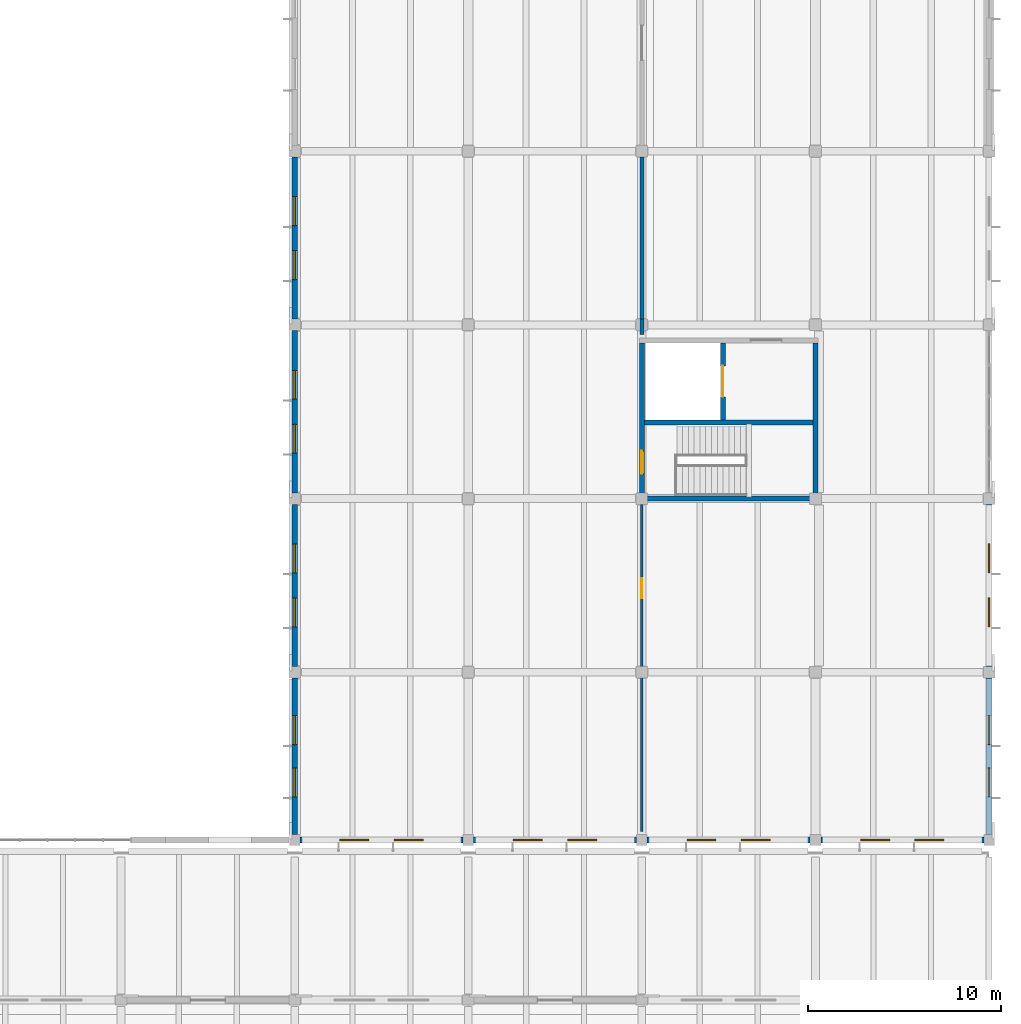
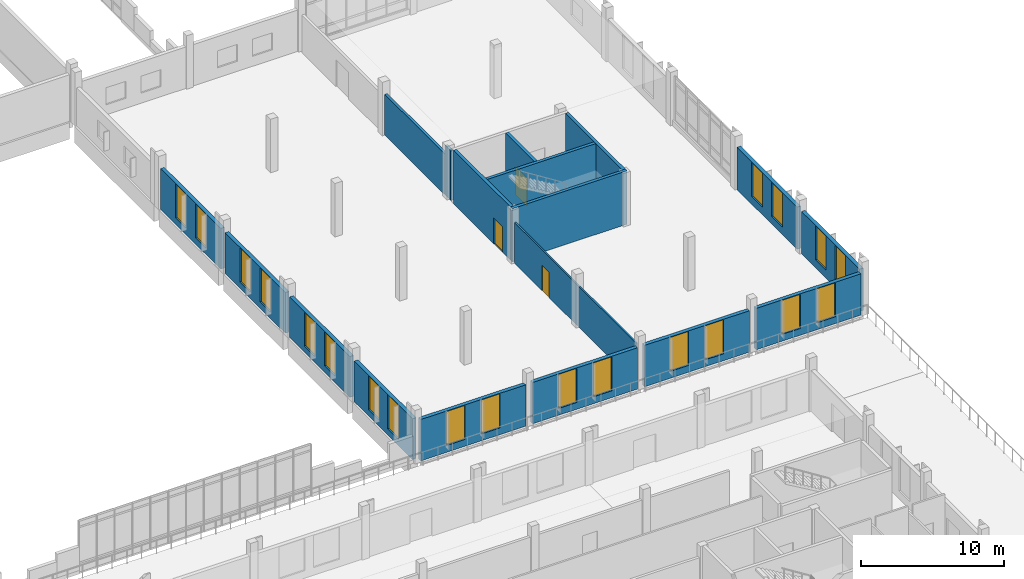
# One storey, part 43 of 63: 20 windows, 18 walls, 3 doors, 23 openings.
"""IFC4 building model written with IfcOpenShell, lengths in metres."""

from ifc_helpers import new_model, si_unit, direction, frame, frame_2d, origin, place, context, subcontext, project, spatial, rectangle, extrude, material, layer, layer_set, type_object, element, fill, save


model = new_model("IFC4")

# Units and contexts
model_context = context("Model", 3, precision=1e-05, world=origin(), true_north=direction((0.0, 1.0)))
body_context = subcontext(model_context, "Body", "Model", "MODEL_VIEW")
ifc_project = project(units=[si_unit("LENGTHUNIT", "METRE"), si_unit("AREAUNIT", "SQUARE_METRE"), si_unit("VOLUMEUNIT", "CUBIC_METRE"), si_unit("PLANEANGLEUNIT", "RADIAN"), si_unit("MASSUNIT", "GRAM", prefix="KILO")], contexts=[model_context])

# Site, building, storey
site_placement = place(None, origin())
site = spatial("IfcSite", under=ifc_project, at=site_placement, CompositionType="ELEMENT")
building_placement = place(site_placement, origin())
building = spatial("IfcBuilding", under=site, at=building_placement, Name="Zacnel Wholesale Market", CompositionType="ELEMENT")
storey_placement = place(building_placement, frame((0.0, 0.0, 11.199951171875)))
storey = spatial("IfcBuildingStorey", under=building, at=storey_placement, Name="L03", CompositionType="ELEMENT", Elevation=11.199951171875)

# Walls
ifc_material_1 = material(Name="PIR insulated cold-store panel")
ifc_layer_1 = layer(ifc_material_1, 0.2099609375)
ifc_layer_set_1 = layer_set([ifc_layer_1], Name="PIR insulated cold-store panel")
wall_type_1 = type_object("IfcWallType", Name="WL-COLD-INT210", PredefinedType="STANDARD", material=ifc_layer_set_1)
wall_1_placement = place(storey_placement, frame((198.0, 74.5, 0.0), z_axis=(0.0, 0.0, 1.0), x_axis=(0.0, 1.0, 0.0)))
element("IfcWall", 1, at=wall_1_placement, inside=storey, type_object=wall_type_1, Name="Interior partition L03-0167", PredefinedType="STANDARD", context=body_context, shape_type="SweptSolid", body=[
    extrude(rectangle(XDim=0.800048828125, YDim=0.2099609375, at=frame_2d((0.39990234375, 0.0))), origin(), (0.0, 0.0, 1.0), 4.22998046875),
])
wall_2_placement = place(storey_placement, frame((198.0, 75.300048828125, 0.0), z_axis=(0.0, 0.0, 1.0), x_axis=(0.0, 1.0, 0.0)))
element("IfcWall", 2, at=wall_2_placement, inside=storey, type_object=wall_type_1, Name="Interior partition L03-0167 part 2", PredefinedType="STANDARD", context=body_context, shape_type="SweptSolid", body=[
    extrude(rectangle(XDim=8.39990234375, YDim=0.2099609375, at=frame_2d((4.199951171875, 0.0))), origin(), (0.0, 0.0, 1.0), 3.469970703125),
])
ifc_material_2 = material(Name="Concrete C40/50", Category="concrete")
ifc_layer_2 = layer(ifc_material_2, 0.25)
ifc_layer_set_2 = layer_set([ifc_layer_2], Name="Concrete C40/50")
wall_type_2 = type_object("IfcWallType", Name="WL-CORE-SW250", PredefinedType="SOLIDWALL", material=ifc_layer_set_2)
wall_3_placement = place(storey_placement, frame((197.875, 66.0, 0.0), z_axis=(0.0, 0.0, 1.0), x_axis=(1.0, 0.0, 0.0)))
element("IfcWall", 3, at=wall_3_placement, inside=storey, type_object=wall_type_2, Name="Core C7 south shear wall L03", PredefinedType="SOLIDWALL", context=body_context, shape_type="SweptSolid", body=[
    extrude(rectangle(XDim=9.25, YDim=0.25, at=frame_2d((4.625, 0.0))), origin(), (0.0, 0.0, 1.0), 4.550048828125),
])

# Wall, opening, door
wall_4_placement = place(storey_placement, frame((198.0, 66.125, 0.0), z_axis=(0.0, 0.0, 1.0), x_axis=(0.0, 1.0, 0.0)))
wall_4 = element("IfcWall", 4, at=wall_4_placement, inside=storey, type_object=wall_type_2, Name="Core C7 west shear wall L03", PredefinedType="SOLIDWALL", context=body_context, shape_type="SweptSolid", body=[
    extrude(rectangle(XDim=7.949951171875, YDim=0.25, at=frame_2d((3.97509765625, 0.0))), origin(), (0.0, 0.0, 1.0), 4.550048828125),
])
opening_1_placement = place(wall_4_placement, frame((1.14990234375, 0.0, 0.0)))
opening_1 = element("IfcOpeningElement", 5, at=opening_1_placement, cuts=wall_4, Name="Opening FD-01", PredefinedType="OPENING", context=body_context, shape_type="SweptSolid", body=[
    extrude(rectangle(XDim=1.199951171875, YDim=2.199951171875, at=frame_2d((0.60009765625, 1.10009765625))), frame((0.0, 0.135009765625, 0.0), z_axis=(0.0, -1.0, 0.0), x_axis=(1.0, 0.0, 0.0)), (0.0, 0.0, 1.0), 0.27001953125),
])
ifc_material_3 = material(Name="Galvanized steel", Category="steel")
door_type_1 = type_object("IfcDoorType", Name="DR-FIRE-STAIR-1200", OperationType="NOTDEFINED", PredefinedType="DOOR", material=ifc_material_3)
door_1_placement = place(opening_1_placement, origin())
door_1 = element("IfcDoor", 6, at=door_1_placement, inside=storey, type_object=door_type_1, Name="Protected stair fire door C7 L03", OperationType="SINGLE_SWING_LEFT", OverallHeight=2.199951171875, OverallWidth=1.199951171875, PredefinedType="DOOR", context=body_context, shape_type="SweptSolid", body=[
    extrude(rectangle(XDim=1.199951171875, YDim=2.199951171875, at=frame_2d((0.60009765625, 1.10009765625))), frame((0.0, 0.02490234375, 0.0), z_axis=(0.0, -1.0, 0.0), x_axis=(1.0, 0.0, 0.0)), (0.0, 0.0, 1.0), 0.050048828125),
])
fill(opening_1, door_1)

# Walls
wall_5_placement = place(storey_placement, frame((207.0, 66.125, 0.0), z_axis=(0.0, 0.0, 1.0), x_axis=(0.0, 1.0, 0.0)))
element("IfcWall", 7, at=wall_5_placement, inside=storey, type_object=wall_type_2, Name="Core C7 east shear wall L03", PredefinedType="SOLIDWALL", context=body_context, shape_type="SweptSolid", body=[
    extrude(rectangle(XDim=7.949951171875, YDim=0.25, at=frame_2d((3.97509765625, 0.0))), origin(), (0.0, 0.0, 1.0), 4.550048828125),
])
wall_6_placement = place(storey_placement, frame((198.125, 69.949951171875, 0.0), z_axis=(0.0, 0.0, 1.0), x_axis=(1.0, 0.0, 0.0)))
element("IfcWall", 8, at=wall_6_placement, inside=storey, type_object=wall_type_2, Name="Core C7 stair-shaft shear wall L03", PredefinedType="SOLIDWALL", context=body_context, shape_type="SweptSolid", body=[
    extrude(rectangle(XDim=8.75, YDim=0.25, at=frame_2d((4.375, 0.0))), origin(), (0.0, 0.0, 1.0), 4.550048828125),
])

# Wall, opening, door
wall_7_placement = place(storey_placement, frame((202.199951171875, 70.074951171875, 0.0), z_axis=(0.0, 0.0, 1.0), x_axis=(0.0, 1.0, 0.0)))
wall_7 = element("IfcWall", 9, at=wall_7_placement, inside=storey, type_object=wall_type_2, Name="Core C7 lift shaft front wall L03", PredefinedType="SOLIDWALL", context=body_context, shape_type="SweptSolid", body=[
    extrude(rectangle(XDim=4.0, YDim=0.25, at=frame_2d((2.0, 0.0))), origin(), (0.0, 0.0, 1.0), 4.550048828125),
])
opening_2_placement = place(wall_7_placement, frame((1.199951171875, 0.0, 0.0)))
opening_2 = element("IfcOpeningElement", 10, at=opening_2_placement, cuts=wall_7, Name="Opening LD-02", PredefinedType="OPENING", context=body_context, shape_type="SweptSolid", body=[
    extrude(rectangle(XDim=1.60009765625, YDim=2.39990234375, at=frame_2d((0.800048828125, 1.199951171875))), frame((0.0, 0.135009765625, 0.0), z_axis=(0.0, -1.0, 0.0), x_axis=(1.0, 0.0, 0.0)), (0.0, 0.0, 1.0), 0.27001953125),
])
ifc_material_4 = material(Name="Galvanized steel", Category="steel")
door_type_2 = type_object("IfcDoorType", Name="DR-LIFT-GOODS-1600", OperationType="NOTDEFINED", PredefinedType="DOOR", material=ifc_material_4)
door_2_placement = place(opening_2_placement, origin())
door_2 = element("IfcDoor", 11, at=door_2_placement, inside=storey, type_object=door_type_2, Name="Lift landing door LG-04 L03", OperationType="SLIDING_TO_LEFT", OverallHeight=2.39990234375, OverallWidth=1.60009765625, PredefinedType="DOOR", context=body_context, shape_type="SweptSolid", body=[
    extrude(rectangle(XDim=1.60009765625, YDim=2.39990234375, at=frame_2d((0.800048828125, 1.199951171875))), frame((0.0, 0.02490234375, 0.0), z_axis=(0.0, -1.0, 0.0), x_axis=(1.0, 0.0, 0.0)), (0.0, 0.0, 1.0), 0.050048828125),
])
fill(opening_2, door_2)

# Wall, openings, windows
ifc_material_5 = material(Name="Precast concrete C40/50 (Cancun limestone aggregate)", Category="masonry")
ifc_layer_3 = layer(ifc_material_5, 0.300048828125)
ifc_layer_set_3 = layer_set([ifc_layer_3], Name="Precast concrete C40/50 (Cancun limestone aggregate)")
wall_type_3 = type_object("IfcWallType", Name="WL-EXT-LIME-300", PredefinedType="SOLIDWALL", material=ifc_layer_set_3)
wall_8_placement = place(storey_placement, frame((180.27490234375, 48.300048828125, 0.0), z_axis=(0.0, 0.0, 1.0), x_axis=(1.0, 0.0, 0.0)))
wall_8 = element("IfcWall", 12, at=wall_8_placement, inside=storey, type_object=wall_type_3, Name="Exterior wall L03-0417", PredefinedType="SOLIDWALL", context=body_context, shape_type="SweptSolid", body=[
    extrude(rectangle(XDim=8.4501953125, YDim=0.300048828125, at=frame_2d((4.22509765625, 0.0))), origin(), (0.0, 0.0, 1.0), 3.52001953125),
])
opening_3_placement = place(wall_8_placement, frame((2.06689453125, 0.0, 0.580078125)))
opening_3 = element("IfcOpeningElement", 13, at=opening_3_placement, cuts=wall_8, Name="Opening W-04", PredefinedType="OPENING", context=body_context, shape_type="SweptSolid", body=[
    extrude(rectangle(XDim=1.5, YDim=2.89990234375, at=frame_2d((0.75, 1.449951171875))), frame((0.0, 0.159912109375, 0.0), z_axis=(0.0, -1.0, 0.0), x_axis=(1.0, 0.0, 0.0)), (0.0, 0.0, 1.0), 0.320068359375),
])
opening_4_placement = place(wall_8_placement, frame((4.883056640625, 0.0, 0.580078125)))
opening_4 = element("IfcOpeningElement", 14, at=opening_4_placement, cuts=wall_8, Name="Opening W-04", PredefinedType="OPENING", context=body_context, shape_type="SweptSolid", body=[
    extrude(rectangle(XDim=1.5, YDim=2.89990234375, at=frame_2d((0.75, 1.449951171875))), frame((0.0, 0.159912109375, 0.0), z_axis=(0.0, -1.0, 0.0), x_axis=(1.0, 0.0, 0.0)), (0.0, 0.0, 1.0), 0.320068359375),
])
ifc_material_6 = material(Name="Laminated hurricane-impact low-E insulated glass", Category="glass")
window_type = type_object("IfcWindowType", Name="WIN-DEC-1500X2900", PartitioningType="DOUBLE_PANEL_VERTICAL", PredefinedType="WINDOW", material=ifc_material_6)
window_1_placement = place(opening_3_placement, origin())
window_1 = element("IfcWindow", 15, at=window_1_placement, inside=storey, type_object=window_type, Name="Window L03-0453", OverallHeight=2.89990234375, OverallWidth=1.5, PartitioningType="DOUBLE_PANEL_VERTICAL", PredefinedType="WINDOW", context=body_context, shape_type="SweptSolid", body=[
    extrude(rectangle(XDim=1.5, YDim=2.89990234375, at=frame_2d((0.75, 1.449951171875))), frame((0.0, 0.030029296875, 0.0), z_axis=(0.0, -1.0, 0.0), x_axis=(1.0, 0.0, 0.0)), (0.0, 0.0, 1.0), 0.06005859375),
])
fill(opening_3, window_1)
window_2_placement = place(opening_4_placement, origin())
window_2 = element("IfcWindow", 16, at=window_2_placement, inside=storey, type_object=window_type, Name="Window L03-0454", OverallHeight=2.89990234375, OverallWidth=1.5, PartitioningType="DOUBLE_PANEL_VERTICAL", PredefinedType="WINDOW", context=body_context, shape_type="SweptSolid", body=[
    extrude(rectangle(XDim=1.5, YDim=2.89990234375, at=frame_2d((0.75, 1.449951171875))), frame((0.0, 0.030029296875, 0.0), z_axis=(0.0, -1.0, 0.0), x_axis=(1.0, 0.0, 0.0)), (0.0, 0.0, 1.0), 0.06005859375),
])
fill(opening_4, window_2)

wall_9_placement = place(storey_placement, frame((189.27490234375, 48.300048828125, 0.0), z_axis=(0.0, 0.0, 1.0), x_axis=(1.0, 0.0, 0.0)))
wall_9 = element("IfcWall", 17, at=wall_9_placement, inside=storey, type_object=wall_type_3, Name="Exterior wall L03-0418", PredefinedType="SOLIDWALL", context=body_context, shape_type="SweptSolid", body=[
    extrude(rectangle(XDim=8.4501953125, YDim=0.300048828125, at=frame_2d((4.22509765625, 0.0))), origin(), (0.0, 0.0, 1.0), 3.52001953125),
])
opening_5_placement = place(wall_9_placement, frame((2.06689453125, 0.0, 0.580078125)))
opening_5 = element("IfcOpeningElement", 18, at=opening_5_placement, cuts=wall_9, Name="Opening W-04", PredefinedType="OPENING", context=body_context, shape_type="SweptSolid", body=[
    extrude(rectangle(XDim=1.5, YDim=2.89990234375, at=frame_2d((0.75, 1.449951171875))), frame((0.0, 0.159912109375, 0.0), z_axis=(0.0, -1.0, 0.0), x_axis=(1.0, 0.0, 0.0)), (0.0, 0.0, 1.0), 0.320068359375),
])
opening_6_placement = place(wall_9_placement, frame((4.883056640625, 0.0, 0.580078125)))
opening_6 = element("IfcOpeningElement", 19, at=opening_6_placement, cuts=wall_9, Name="Opening W-04", PredefinedType="OPENING", context=body_context, shape_type="SweptSolid", body=[
    extrude(rectangle(XDim=1.5, YDim=2.89990234375, at=frame_2d((0.75, 1.449951171875))), frame((0.0, 0.159912109375, 0.0), z_axis=(0.0, -1.0, 0.0), x_axis=(1.0, 0.0, 0.0)), (0.0, 0.0, 1.0), 0.320068359375),
])
window_3_placement = place(opening_5_placement, origin())
window_3 = element("IfcWindow", 20, at=window_3_placement, inside=storey, type_object=window_type, Name="Window L03-0455", OverallHeight=2.89990234375, OverallWidth=1.5, PartitioningType="DOUBLE_PANEL_VERTICAL", PredefinedType="WINDOW", context=body_context, shape_type="SweptSolid", body=[
    extrude(rectangle(XDim=1.5, YDim=2.89990234375, at=frame_2d((0.75, 1.449951171875))), frame((0.0, 0.030029296875, 0.0), z_axis=(0.0, -1.0, 0.0), x_axis=(1.0, 0.0, 0.0)), (0.0, 0.0, 1.0), 0.06005859375),
])
fill(opening_5, window_3)
window_4_placement = place(opening_6_placement, origin())
window_4 = element("IfcWindow", 21, at=window_4_placement, inside=storey, type_object=window_type, Name="Window L03-0456", OverallHeight=2.89990234375, OverallWidth=1.5, PartitioningType="DOUBLE_PANEL_VERTICAL", PredefinedType="WINDOW", context=body_context, shape_type="SweptSolid", body=[
    extrude(rectangle(XDim=1.5, YDim=2.89990234375, at=frame_2d((0.75, 1.449951171875))), frame((0.0, 0.030029296875, 0.0), z_axis=(0.0, -1.0, 0.0), x_axis=(1.0, 0.0, 0.0)), (0.0, 0.0, 1.0), 0.06005859375),
])
fill(opening_6, window_4)

wall_10_placement = place(storey_placement, frame((198.27490234375, 48.300048828125, 0.0), z_axis=(0.0, 0.0, 1.0), x_axis=(1.0, 0.0, 0.0)))
wall_10 = element("IfcWall", 22, at=wall_10_placement, inside=storey, type_object=wall_type_3, Name="Exterior wall L03-0419", PredefinedType="SOLIDWALL", context=body_context, shape_type="SweptSolid", body=[
    extrude(rectangle(XDim=8.4501953125, YDim=0.300048828125, at=frame_2d((4.22509765625, 0.0))), origin(), (0.0, 0.0, 1.0), 3.52001953125),
])
opening_7_placement = place(wall_10_placement, frame((2.06689453125, 0.0, 0.580078125)))
opening_7 = element("IfcOpeningElement", 23, at=opening_7_placement, cuts=wall_10, Name="Opening W-04", PredefinedType="OPENING", context=body_context, shape_type="SweptSolid", body=[
    extrude(rectangle(XDim=1.5, YDim=2.89990234375, at=frame_2d((0.75, 1.449951171875))), frame((0.0, 0.159912109375, 0.0), z_axis=(0.0, -1.0, 0.0), x_axis=(1.0, 0.0, 0.0)), (0.0, 0.0, 1.0), 0.320068359375),
])
opening_8_placement = place(wall_10_placement, frame((4.883056640625, 0.0, 0.580078125)))
opening_8 = element("IfcOpeningElement", 24, at=opening_8_placement, cuts=wall_10, Name="Opening W-04", PredefinedType="OPENING", context=body_context, shape_type="SweptSolid", body=[
    extrude(rectangle(XDim=1.5, YDim=2.89990234375, at=frame_2d((0.75, 1.449951171875))), frame((0.0, 0.159912109375, 0.0), z_axis=(0.0, -1.0, 0.0), x_axis=(1.0, 0.0, 0.0)), (0.0, 0.0, 1.0), 0.320068359375),
])
window_5_placement = place(opening_7_placement, origin())
window_5 = element("IfcWindow", 25, at=window_5_placement, inside=storey, type_object=window_type, Name="Window L03-0457", OverallHeight=2.89990234375, OverallWidth=1.5, PartitioningType="DOUBLE_PANEL_VERTICAL", PredefinedType="WINDOW", context=body_context, shape_type="SweptSolid", body=[
    extrude(rectangle(XDim=1.5, YDim=2.89990234375, at=frame_2d((0.75, 1.449951171875))), frame((0.0, 0.030029296875, 0.0), z_axis=(0.0, -1.0, 0.0), x_axis=(1.0, 0.0, 0.0)), (0.0, 0.0, 1.0), 0.06005859375),
])
fill(opening_7, window_5)
window_6_placement = place(opening_8_placement, origin())
window_6 = element("IfcWindow", 26, at=window_6_placement, inside=storey, type_object=window_type, Name="Window L03-0458", OverallHeight=2.89990234375, OverallWidth=1.5, PartitioningType="DOUBLE_PANEL_VERTICAL", PredefinedType="WINDOW", context=body_context, shape_type="SweptSolid", body=[
    extrude(rectangle(XDim=1.5, YDim=2.89990234375, at=frame_2d((0.75, 1.449951171875))), frame((0.0, 0.030029296875, 0.0), z_axis=(0.0, -1.0, 0.0), x_axis=(1.0, 0.0, 0.0)), (0.0, 0.0, 1.0), 0.06005859375),
])
fill(opening_8, window_6)

wall_11_placement = place(storey_placement, frame((207.27490234375, 48.300048828125, 0.0), z_axis=(0.0, 0.0, 1.0), x_axis=(1.0, 0.0, 0.0)))
wall_11 = element("IfcWall", 27, at=wall_11_placement, inside=storey, type_object=wall_type_3, Name="Exterior wall L03-0420", PredefinedType="SOLIDWALL", context=body_context, shape_type="SweptSolid", body=[
    extrude(rectangle(XDim=8.4501953125, YDim=0.300048828125, at=frame_2d((4.22509765625, 0.0))), origin(), (0.0, 0.0, 1.0), 3.52001953125),
])
opening_9_placement = place(wall_11_placement, frame((2.06689453125, 0.0, 0.580078125)))
opening_9 = element("IfcOpeningElement", 28, at=opening_9_placement, cuts=wall_11, Name="Opening W-04", PredefinedType="OPENING", context=body_context, shape_type="SweptSolid", body=[
    extrude(rectangle(XDim=1.5, YDim=2.89990234375, at=frame_2d((0.75, 1.449951171875))), frame((0.0, 0.159912109375, 0.0), z_axis=(0.0, -1.0, 0.0), x_axis=(1.0, 0.0, 0.0)), (0.0, 0.0, 1.0), 0.320068359375),
])
opening_10_placement = place(wall_11_placement, frame((4.883056640625, 0.0, 0.580078125)))
opening_10 = element("IfcOpeningElement", 29, at=opening_10_placement, cuts=wall_11, Name="Opening W-04", PredefinedType="OPENING", context=body_context, shape_type="SweptSolid", body=[
    extrude(rectangle(XDim=1.5, YDim=2.89990234375, at=frame_2d((0.75, 1.449951171875))), frame((0.0, 0.159912109375, 0.0), z_axis=(0.0, -1.0, 0.0), x_axis=(1.0, 0.0, 0.0)), (0.0, 0.0, 1.0), 0.320068359375),
])
window_7_placement = place(opening_9_placement, origin())
window_7 = element("IfcWindow", 30, at=window_7_placement, inside=storey, type_object=window_type, Name="Window L03-0459", OverallHeight=2.89990234375, OverallWidth=1.5, PartitioningType="DOUBLE_PANEL_VERTICAL", PredefinedType="WINDOW", context=body_context, shape_type="SweptSolid", body=[
    extrude(rectangle(XDim=1.5, YDim=2.89990234375, at=frame_2d((0.75, 1.449951171875))), frame((0.0, 0.030029296875, 0.0), z_axis=(0.0, -1.0, 0.0), x_axis=(1.0, 0.0, 0.0)), (0.0, 0.0, 1.0), 0.06005859375),
])
fill(opening_9, window_7)
window_8_placement = place(opening_10_placement, origin())
window_8 = element("IfcWindow", 31, at=window_8_placement, inside=storey, type_object=window_type, Name="Window L03-0460", OverallHeight=2.89990234375, OverallWidth=1.5, PartitioningType="DOUBLE_PANEL_VERTICAL", PredefinedType="WINDOW", context=body_context, shape_type="SweptSolid", body=[
    extrude(rectangle(XDim=1.5, YDim=2.89990234375, at=frame_2d((0.75, 1.449951171875))), frame((0.0, 0.030029296875, 0.0), z_axis=(0.0, -1.0, 0.0), x_axis=(1.0, 0.0, 0.0)), (0.0, 0.0, 1.0), 0.06005859375),
])
fill(opening_10, window_8)

wall_12_placement = place(storey_placement, frame((180.0, 48.574951171875, 0.0), z_axis=(0.0, 0.0, 1.0), x_axis=(0.0, 1.0, 0.0)))
wall_12 = element("IfcWall", 32, at=wall_12_placement, inside=storey, type_object=wall_type_3, Name="Exterior wall L03-0424", PredefinedType="SOLIDWALL", context=body_context, shape_type="SweptSolid", body=[
    extrude(rectangle(XDim=8.125, YDim=0.300048828125, at=frame_2d((4.0625, 0.0))), origin(), (0.0, 0.0, 1.0), 3.469970703125),
])
opening_11_placement = place(wall_12_placement, frame((1.9580078125, 0.0, 0.530029296875)))
opening_11 = element("IfcOpeningElement", 33, at=opening_11_placement, cuts=wall_12, Name="Opening W-04", PredefinedType="OPENING", context=body_context, shape_type="SweptSolid", body=[
    extrude(rectangle(XDim=1.5, YDim=2.89990234375, at=frame_2d((0.75, 1.449951171875))), frame((0.0, 0.159912109375, 0.0), z_axis=(0.0, -1.0, 0.0), x_axis=(1.0, 0.0, 0.0)), (0.0, 0.0, 1.0), 0.320068359375),
])
opening_12_placement = place(wall_12_placement, frame((4.6669921875, 0.0, 0.530029296875)))
opening_12 = element("IfcOpeningElement", 34, at=opening_12_placement, cuts=wall_12, Name="Opening W-04", PredefinedType="OPENING", context=body_context, shape_type="SweptSolid", body=[
    extrude(rectangle(XDim=1.5, YDim=2.89990234375, at=frame_2d((0.75, 1.449951171875))), frame((0.0, 0.159912109375, 0.0), z_axis=(0.0, -1.0, 0.0), x_axis=(1.0, 0.0, 0.0)), (0.0, 0.0, 1.0), 0.320068359375),
])
window_9_placement = place(opening_11_placement, origin())
window_9 = element("IfcWindow", 35, at=window_9_placement, inside=storey, type_object=window_type, Name="Window L03-0467", OverallHeight=2.89990234375, OverallWidth=1.5, PartitioningType="DOUBLE_PANEL_VERTICAL", PredefinedType="WINDOW", context=body_context, shape_type="SweptSolid", body=[
    extrude(rectangle(XDim=1.5, YDim=2.89990234375, at=frame_2d((0.75, 1.449951171875))), frame((0.0, 0.030029296875, 0.0), z_axis=(0.0, -1.0, 0.0), x_axis=(1.0, 0.0, 0.0)), (0.0, 0.0, 1.0), 0.06005859375),
])
fill(opening_11, window_9)
window_10_placement = place(opening_12_placement, origin())
window_10 = element("IfcWindow", 36, at=window_10_placement, inside=storey, type_object=window_type, Name="Window L03-0468", OverallHeight=2.89990234375, OverallWidth=1.5, PartitioningType="DOUBLE_PANEL_VERTICAL", PredefinedType="WINDOW", context=body_context, shape_type="SweptSolid", body=[
    extrude(rectangle(XDim=1.5, YDim=2.89990234375, at=frame_2d((0.75, 1.449951171875))), frame((0.0, 0.030029296875, 0.0), z_axis=(0.0, -1.0, 0.0), x_axis=(1.0, 0.0, 0.0)), (0.0, 0.0, 1.0), 0.06005859375),
])
fill(opening_12, window_10)

wall_13_placement = place(storey_placement, frame((180.0, 57.300048828125, 0.0), z_axis=(0.0, 0.0, 1.0), x_axis=(0.0, 1.0, 0.0)))
wall_13 = element("IfcWall", 37, at=wall_13_placement, inside=storey, type_object=wall_type_3, Name="Exterior wall L03-0425", PredefinedType="SOLIDWALL", context=body_context, shape_type="SweptSolid", body=[
    extrude(rectangle(XDim=8.39990234375, YDim=0.300048828125, at=frame_2d((4.199951171875, 0.0))), origin(), (0.0, 0.0, 1.0), 3.469970703125),
])
opening_13_placement = place(wall_13_placement, frame((2.050048828125, 0.0, 0.530029296875)))
opening_13 = element("IfcOpeningElement", 38, at=opening_13_placement, cuts=wall_13, Name="Opening W-04", PredefinedType="OPENING", context=body_context, shape_type="SweptSolid", body=[
    extrude(rectangle(XDim=1.5, YDim=2.89990234375, at=frame_2d((0.75, 1.449951171875))), frame((0.0, 0.159912109375, 0.0), z_axis=(0.0, -1.0, 0.0), x_axis=(1.0, 0.0, 0.0)), (0.0, 0.0, 1.0), 0.320068359375),
])
opening_14_placement = place(wall_13_placement, frame((4.85009765625, 0.0, 0.530029296875)))
opening_14 = element("IfcOpeningElement", 39, at=opening_14_placement, cuts=wall_13, Name="Opening W-04", PredefinedType="OPENING", context=body_context, shape_type="SweptSolid", body=[
    extrude(rectangle(XDim=1.5, YDim=2.89990234375, at=frame_2d((0.75, 1.449951171875))), frame((0.0, 0.159912109375, 0.0), z_axis=(0.0, -1.0, 0.0), x_axis=(1.0, 0.0, 0.0)), (0.0, 0.0, 1.0), 0.320068359375),
])
window_11_placement = place(opening_13_placement, origin())
window_11 = element("IfcWindow", 40, at=window_11_placement, inside=storey, type_object=window_type, Name="Window L03-0469", OverallHeight=2.89990234375, OverallWidth=1.5, PartitioningType="DOUBLE_PANEL_VERTICAL", PredefinedType="WINDOW", context=body_context, shape_type="SweptSolid", body=[
    extrude(rectangle(XDim=1.5, YDim=2.89990234375, at=frame_2d((0.75, 1.449951171875))), frame((0.0, 0.030029296875, 0.0), z_axis=(0.0, -1.0, 0.0), x_axis=(1.0, 0.0, 0.0)), (0.0, 0.0, 1.0), 0.06005859375),
])
fill(opening_13, window_11)
window_12_placement = place(opening_14_placement, origin())
window_12 = element("IfcWindow", 41, at=window_12_placement, inside=storey, type_object=window_type, Name="Window L03-0470", OverallHeight=2.89990234375, OverallWidth=1.5, PartitioningType="DOUBLE_PANEL_VERTICAL", PredefinedType="WINDOW", context=body_context, shape_type="SweptSolid", body=[
    extrude(rectangle(XDim=1.5, YDim=2.89990234375, at=frame_2d((0.75, 1.449951171875))), frame((0.0, 0.030029296875, 0.0), z_axis=(0.0, -1.0, 0.0), x_axis=(1.0, 0.0, 0.0)), (0.0, 0.0, 1.0), 0.06005859375),
])
fill(opening_14, window_12)

wall_14_placement = place(storey_placement, frame((180.0, 66.300048828125, 0.0), z_axis=(0.0, 0.0, 1.0), x_axis=(0.0, 1.0, 0.0)))
wall_14 = element("IfcWall", 42, at=wall_14_placement, inside=storey, type_object=wall_type_3, Name="Exterior wall L03-0426", PredefinedType="SOLIDWALL", context=body_context, shape_type="SweptSolid", body=[
    extrude(rectangle(XDim=8.39990234375, YDim=0.300048828125, at=frame_2d((4.199951171875, 0.0))), origin(), (0.0, 0.0, 1.0), 3.469970703125),
])
opening_15_placement = place(wall_14_placement, frame((2.050048828125, 0.0, 0.530029296875)))
opening_15 = element("IfcOpeningElement", 43, at=opening_15_placement, cuts=wall_14, Name="Opening W-04", PredefinedType="OPENING", context=body_context, shape_type="SweptSolid", body=[
    extrude(rectangle(XDim=1.5, YDim=2.89990234375, at=frame_2d((0.75, 1.449951171875))), frame((0.0, 0.159912109375, 0.0), z_axis=(0.0, -1.0, 0.0), x_axis=(1.0, 0.0, 0.0)), (0.0, 0.0, 1.0), 0.320068359375),
])
opening_16_placement = place(wall_14_placement, frame((4.85009765625, 0.0, 0.530029296875)))
opening_16 = element("IfcOpeningElement", 44, at=opening_16_placement, cuts=wall_14, Name="Opening W-04", PredefinedType="OPENING", context=body_context, shape_type="SweptSolid", body=[
    extrude(rectangle(XDim=1.5, YDim=2.89990234375, at=frame_2d((0.75, 1.449951171875))), frame((0.0, 0.159912109375, 0.0), z_axis=(0.0, -1.0, 0.0), x_axis=(1.0, 0.0, 0.0)), (0.0, 0.0, 1.0), 0.320068359375),
])
window_13_placement = place(opening_15_placement, origin())
window_13 = element("IfcWindow", 45, at=window_13_placement, inside=storey, type_object=window_type, Name="Window L03-0471", OverallHeight=2.89990234375, OverallWidth=1.5, PartitioningType="DOUBLE_PANEL_VERTICAL", PredefinedType="WINDOW", context=body_context, shape_type="SweptSolid", body=[
    extrude(rectangle(XDim=1.5, YDim=2.89990234375, at=frame_2d((0.75, 1.449951171875))), frame((0.0, 0.030029296875, 0.0), z_axis=(0.0, -1.0, 0.0), x_axis=(1.0, 0.0, 0.0)), (0.0, 0.0, 1.0), 0.06005859375),
])
fill(opening_15, window_13)
window_14_placement = place(opening_16_placement, origin())
window_14 = element("IfcWindow", 46, at=window_14_placement, inside=storey, type_object=window_type, Name="Window L03-0472", OverallHeight=2.89990234375, OverallWidth=1.5, PartitioningType="DOUBLE_PANEL_VERTICAL", PredefinedType="WINDOW", context=body_context, shape_type="SweptSolid", body=[
    extrude(rectangle(XDim=1.5, YDim=2.89990234375, at=frame_2d((0.75, 1.449951171875))), frame((0.0, 0.030029296875, 0.0), z_axis=(0.0, -1.0, 0.0), x_axis=(1.0, 0.0, 0.0)), (0.0, 0.0, 1.0), 0.06005859375),
])
fill(opening_16, window_14)

wall_15_placement = place(storey_placement, frame((180.0, 75.300048828125, 0.0), z_axis=(0.0, 0.0, 1.0), x_axis=(0.0, 1.0, 0.0)))
wall_15 = element("IfcWall", 47, at=wall_15_placement, inside=storey, type_object=wall_type_3, Name="Exterior wall L03-0427", PredefinedType="SOLIDWALL", context=body_context, shape_type="SweptSolid", body=[
    extrude(rectangle(XDim=8.39990234375, YDim=0.300048828125, at=frame_2d((4.199951171875, 0.0))), origin(), (0.0, 0.0, 1.0), 3.469970703125),
])
opening_17_placement = place(wall_15_placement, frame((2.050048828125, 0.0, 0.530029296875)))
opening_17 = element("IfcOpeningElement", 48, at=opening_17_placement, cuts=wall_15, Name="Opening W-04", PredefinedType="OPENING", context=body_context, shape_type="SweptSolid", body=[
    extrude(rectangle(XDim=1.5, YDim=2.89990234375, at=frame_2d((0.75, 1.449951171875))), frame((0.0, 0.159912109375, 0.0), z_axis=(0.0, -1.0, 0.0), x_axis=(1.0, 0.0, 0.0)), (0.0, 0.0, 1.0), 0.320068359375),
])
opening_18_placement = place(wall_15_placement, frame((4.85009765625, 0.0, 0.530029296875)))
opening_18 = element("IfcOpeningElement", 49, at=opening_18_placement, cuts=wall_15, Name="Opening W-04", PredefinedType="OPENING", context=body_context, shape_type="SweptSolid", body=[
    extrude(rectangle(XDim=1.5, YDim=2.89990234375, at=frame_2d((0.75, 1.449951171875))), frame((0.0, 0.159912109375, 0.0), z_axis=(0.0, -1.0, 0.0), x_axis=(1.0, 0.0, 0.0)), (0.0, 0.0, 1.0), 0.320068359375),
])
window_15_placement = place(opening_17_placement, origin())
window_15 = element("IfcWindow", 50, at=window_15_placement, inside=storey, type_object=window_type, Name="Window L03-0473", OverallHeight=2.89990234375, OverallWidth=1.5, PartitioningType="DOUBLE_PANEL_VERTICAL", PredefinedType="WINDOW", context=body_context, shape_type="SweptSolid", body=[
    extrude(rectangle(XDim=1.5, YDim=2.89990234375, at=frame_2d((0.75, 1.449951171875))), frame((0.0, 0.030029296875, 0.0), z_axis=(0.0, -1.0, 0.0), x_axis=(1.0, 0.0, 0.0)), (0.0, 0.0, 1.0), 0.06005859375),
])
fill(opening_17, window_15)
window_16_placement = place(opening_18_placement, origin())
window_16 = element("IfcWindow", 51, at=window_16_placement, inside=storey, type_object=window_type, Name="Window L03-0474", OverallHeight=2.89990234375, OverallWidth=1.5, PartitioningType="DOUBLE_PANEL_VERTICAL", PredefinedType="WINDOW", context=body_context, shape_type="SweptSolid", body=[
    extrude(rectangle(XDim=1.5, YDim=2.89990234375, at=frame_2d((0.75, 1.449951171875))), frame((0.0, 0.030029296875, 0.0), z_axis=(0.0, -1.0, 0.0), x_axis=(1.0, 0.0, 0.0)), (0.0, 0.0, 1.0), 0.06005859375),
])
fill(opening_18, window_16)

wall_16_placement = place(storey_placement, frame((216.0, 48.574951171875, 0.0), z_axis=(0.0, 0.0, 1.0), x_axis=(0.0, 1.0, 0.0)))
wall_16 = element("IfcWall", 52, at=wall_16_placement, inside=storey, type_object=wall_type_3, Name="Exterior wall L03-0429", PredefinedType="SOLIDWALL", context=body_context, shape_type="SweptSolid", body=[
    extrude(rectangle(XDim=8.125, YDim=0.300048828125, at=frame_2d((4.0625, 0.0))), origin(), (0.0, 0.0, 1.0), 3.590087890625),
])
opening_19_placement = place(wall_16_placement, frame((1.9580078125, 0.0, 0.64990234375)))
opening_19 = element("IfcOpeningElement", 53, at=opening_19_placement, cuts=wall_16, Name="Opening W-04", PredefinedType="OPENING", context=body_context, shape_type="SweptSolid", body=[
    extrude(rectangle(XDim=1.5, YDim=2.89990234375, at=frame_2d((0.75, 1.449951171875))), frame((0.0, 0.159912109375, 0.0), z_axis=(0.0, -1.0, 0.0), x_axis=(1.0, 0.0, 0.0)), (0.0, 0.0, 1.0), 0.320068359375),
])
opening_20_placement = place(wall_16_placement, frame((4.6669921875, 0.0, 0.64990234375)))
opening_20 = element("IfcOpeningElement", 54, at=opening_20_placement, cuts=wall_16, Name="Opening W-04", PredefinedType="OPENING", context=body_context, shape_type="SweptSolid", body=[
    extrude(rectangle(XDim=1.5, YDim=2.89990234375, at=frame_2d((0.75, 1.449951171875))), frame((0.0, 0.159912109375, 0.0), z_axis=(0.0, -1.0, 0.0), x_axis=(1.0, 0.0, 0.0)), (0.0, 0.0, 1.0), 0.320068359375),
])
window_17_placement = place(opening_19_placement, origin())
window_17 = element("IfcWindow", 55, at=window_17_placement, inside=storey, type_object=window_type, Name="Window L03-0477", OverallHeight=2.89990234375, OverallWidth=1.5, PartitioningType="DOUBLE_PANEL_VERTICAL", PredefinedType="WINDOW", context=body_context, shape_type="SweptSolid", body=[
    extrude(rectangle(XDim=1.5, YDim=2.89990234375, at=frame_2d((0.75, 1.449951171875))), frame((0.0, 0.030029296875, 0.0), z_axis=(0.0, -1.0, 0.0), x_axis=(1.0, 0.0, 0.0)), (0.0, 0.0, 1.0), 0.06005859375),
])
fill(opening_19, window_17)
window_18_placement = place(opening_20_placement, origin())
window_18 = element("IfcWindow", 56, at=window_18_placement, inside=storey, type_object=window_type, Name="Window L03-0478", OverallHeight=2.89990234375, OverallWidth=1.5, PartitioningType="DOUBLE_PANEL_VERTICAL", PredefinedType="WINDOW", context=body_context, shape_type="SweptSolid", body=[
    extrude(rectangle(XDim=1.5, YDim=2.89990234375, at=frame_2d((0.75, 1.449951171875))), frame((0.0, 0.030029296875, 0.0), z_axis=(0.0, -1.0, 0.0), x_axis=(1.0, 0.0, 0.0)), (0.0, 0.0, 1.0), 0.06005859375),
])
fill(opening_20, window_18)

wall_17_placement = place(storey_placement, frame((216.0, 57.300048828125, 0.0), z_axis=(0.0, 0.0, 1.0), x_axis=(0.0, 1.0, 0.0)))
wall_17 = element("IfcWall", 57, at=wall_17_placement, inside=storey, type_object=wall_type_3, Name="Exterior wall L03-0430", PredefinedType="SOLIDWALL", context=body_context, shape_type="SweptSolid", body=[
    extrude(rectangle(XDim=8.39990234375, YDim=0.300048828125, at=frame_2d((4.199951171875, 0.0))), origin(), (0.0, 0.0, 1.0), 3.590087890625),
])
opening_21_placement = place(wall_17_placement, frame((2.050048828125, 0.0, 0.64990234375)))
opening_21 = element("IfcOpeningElement", 58, at=opening_21_placement, cuts=wall_17, Name="Opening W-04", PredefinedType="OPENING", context=body_context, shape_type="SweptSolid", body=[
    extrude(rectangle(XDim=1.5, YDim=2.89990234375, at=frame_2d((0.75, 1.449951171875))), frame((0.0, 0.159912109375, 0.0), z_axis=(0.0, -1.0, 0.0), x_axis=(1.0, 0.0, 0.0)), (0.0, 0.0, 1.0), 0.320068359375),
])
opening_22_placement = place(wall_17_placement, frame((4.85009765625, 0.0, 0.64990234375)))
opening_22 = element("IfcOpeningElement", 59, at=opening_22_placement, cuts=wall_17, Name="Opening W-04", PredefinedType="OPENING", context=body_context, shape_type="SweptSolid", body=[
    extrude(rectangle(XDim=1.5, YDim=2.89990234375, at=frame_2d((0.75, 1.449951171875))), frame((0.0, 0.159912109375, 0.0), z_axis=(0.0, -1.0, 0.0), x_axis=(1.0, 0.0, 0.0)), (0.0, 0.0, 1.0), 0.320068359375),
])
window_19_placement = place(opening_21_placement, origin())
window_19 = element("IfcWindow", 60, at=window_19_placement, inside=storey, type_object=window_type, Name="Window L03-0479", OverallHeight=2.89990234375, OverallWidth=1.5, PartitioningType="DOUBLE_PANEL_VERTICAL", PredefinedType="WINDOW", context=body_context, shape_type="SweptSolid", body=[
    extrude(rectangle(XDim=1.5, YDim=2.89990234375, at=frame_2d((0.75, 1.449951171875))), frame((0.0, 0.030029296875, 0.0), z_axis=(0.0, -1.0, 0.0), x_axis=(1.0, 0.0, 0.0)), (0.0, 0.0, 1.0), 0.06005859375),
])
fill(opening_21, window_19)
window_20_placement = place(opening_22_placement, origin())
window_20 = element("IfcWindow", 61, at=window_20_placement, inside=storey, type_object=window_type, Name="Window L03-0480", OverallHeight=2.89990234375, OverallWidth=1.5, PartitioningType="DOUBLE_PANEL_VERTICAL", PredefinedType="WINDOW", context=body_context, shape_type="SweptSolid", body=[
    extrude(rectangle(XDim=1.5, YDim=2.89990234375, at=frame_2d((0.75, 1.449951171875))), frame((0.0, 0.030029296875, 0.0), z_axis=(0.0, -1.0, 0.0), x_axis=(1.0, 0.0, 0.0)), (0.0, 0.0, 1.0), 0.06005859375),
])
fill(opening_22, window_20)

# Wall, opening, door
ifc_material_7 = material(Name="Moisture-resistant gypsum board partition")
ifc_layer_4 = layer(ifc_material_7, 0.125)
ifc_layer_set_4 = layer_set([ifc_layer_4], Name="Moisture-resistant gypsum board partition")
wall_type_4 = type_object("IfcWallType", Name="WL-PART-GYP125", PredefinedType="PARTITIONING", material=ifc_layer_set_4)
wall_18_placement = place(storey_placement, frame((198.0, 48.75, 0.0), z_axis=(0.0, 0.0, 1.0), x_axis=(0.0, 1.0, 0.0)))
wall_18 = element("IfcWall", 62, at=wall_18_placement, inside=storey, type_object=wall_type_4, Name="Interior partition L03-0166", PredefinedType="PARTITIONING", context=body_context, shape_type="SweptSolid", body=[
    extrude(rectangle(XDim=16.949951171875, YDim=0.125, at=frame_2d((8.47509765625, 0.0))), origin(), (0.0, 0.0, 1.0), 3.469970703125),
])
opening_23_placement = place(wall_18_placement, frame((12.090087890625, 0.0, 0.0)))
opening_23 = element("IfcOpeningElement", 63, at=opening_23_placement, cuts=wall_18, Name="Opening ID-12", PredefinedType="OPENING", context=body_context, shape_type="SweptSolid", body=[
    extrude(rectangle(XDim=1.02001953125, YDim=2.179931640625, at=frame_2d((0.510009765625, 1.08984375))), frame((0.0, 0.072509765625, 0.0), z_axis=(0.0, -1.0, 0.0), x_axis=(1.0, 0.0, 0.0)), (0.0, 0.0, 1.0), 0.14501953125),
])
ifc_material_8 = material(Name="Solid-core tropical hardwood door", Category="wood")
door_type_3 = type_object("IfcDoorType", Name="DR-OFF-SGL-1020", OperationType="NOTDEFINED", PredefinedType="DOOR", material=ifc_material_8)
door_3_placement = place(opening_23_placement, origin())
door_3 = element("IfcDoor", 64, at=door_3_placement, inside=storey, type_object=door_type_3, Name="Interior door L03-0130", OperationType="SINGLE_SWING_LEFT", OverallHeight=2.179931640625, OverallWidth=1.02001953125, PredefinedType="DOOR", context=body_context, shape_type="SweptSolid", body=[
    extrude(rectangle(XDim=1.02001953125, YDim=2.179931640625, at=frame_2d((0.510009765625, 1.08984375))), frame((0.0, 0.02490234375, 0.0), z_axis=(0.0, -1.0, 0.0), x_axis=(1.0, 0.0, 0.0)), (0.0, 0.0, 1.0), 0.050048828125),
])
fill(opening_23, door_3)

save(model, "model.ifc")
